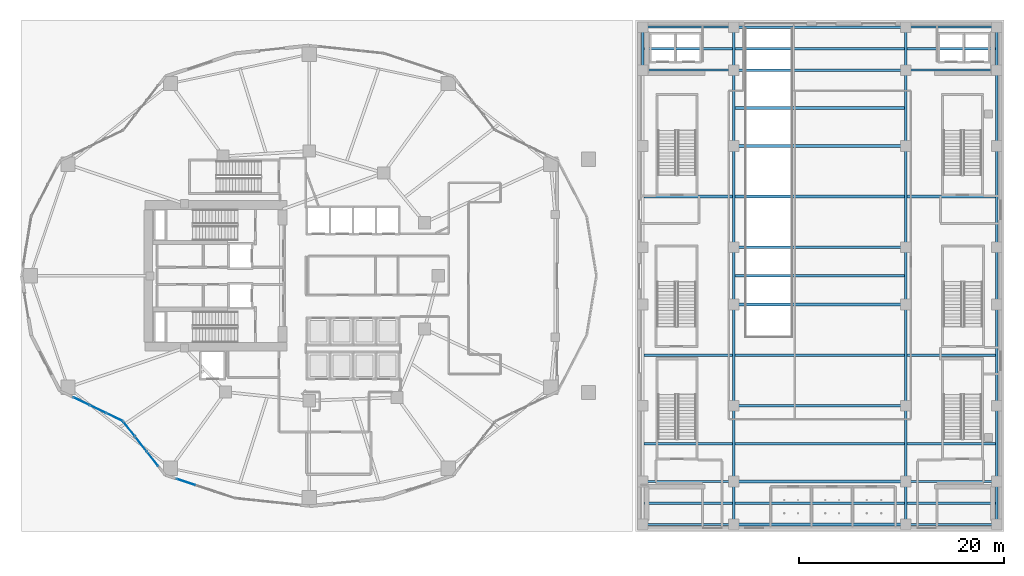
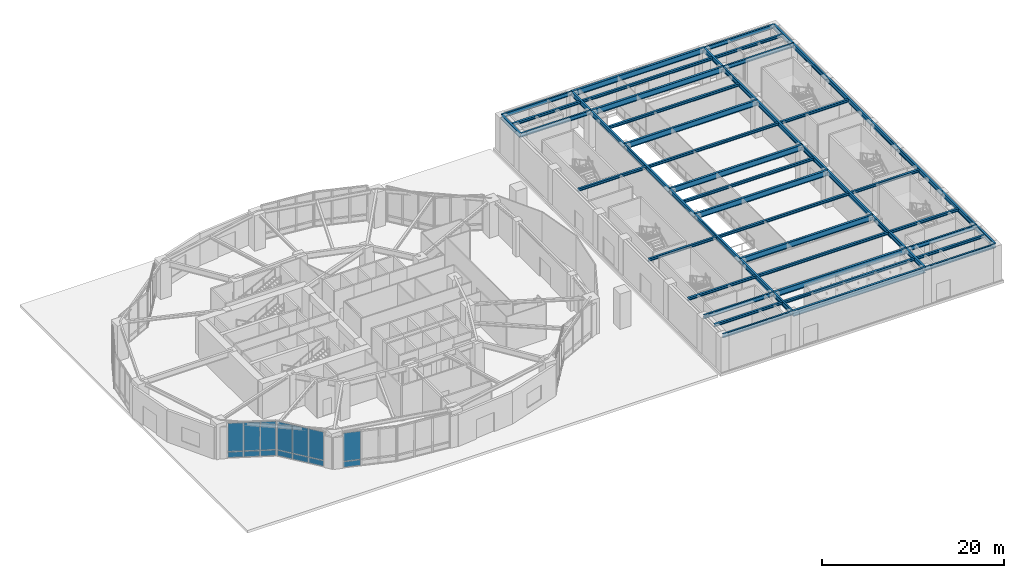
# One storey, part 8 of 23: 55 beams, 14 plates, 3 elements without a shape of their own.
"""IFC4 building model written with IfcOpenShell, lengths in metres."""

from ifc_helpers import new_model, si_unit, direction, frame, origin, origin_2d, place, context, subcontext, project, spatial, rectangle, i_section, extrude, material, layer, layer_set, material_profile, profile_set, type_object, element, aggregate, save


model = new_model("IFC4")

# Units and contexts
model_context = context("Model", 3, precision=1e-05, world=origin(), true_north=direction((0.0, 1.0)))
body_context = subcontext(model_context, "Body", "Model", "MODEL_VIEW")
ifc_project = project(units=[si_unit("LENGTHUNIT", "METRE"), si_unit("AREAUNIT", "SQUARE_METRE"), si_unit("VOLUMEUNIT", "CUBIC_METRE"), si_unit("PLANEANGLEUNIT", "RADIAN"), si_unit("MASSUNIT", "GRAM", prefix="KILO")], contexts=[model_context])

# Site, building, storey
site_placement = place(None, origin())
site = spatial("IfcSite", under=ifc_project, at=site_placement, CompositionType="ELEMENT")
building_placement = place(site_placement, origin())
building = spatial("IfcBuilding", under=site, at=building_placement, Name="Kolvaren Gate Tower and Convention Centre", CompositionType="ELEMENT")
storey_placement = place(building_placement, origin())
storey = spatial("IfcBuildingStorey", under=building, at=storey_placement, Name="L00", CompositionType="ELEMENT", Elevation=0.0)

# Beams
ifc_material_1 = material(Name="Structural steel ASTM A992 Grade 345 MPa", Category="steel")
ifc_material_profile_1 = material_profile(ifc_material_1, i_section(OverallWidth=0.2119140625, OverallDepth=0.5439453125, WebThickness=0.01318359375, FlangeThickness=0.021240234375, at=origin_2d()), Name="W530X123")
ifc_profile_set_1 = profile_set([ifc_material_profile_1], Name="Structural steel ASTM A992 Grade 345 MPa")
beam_type_1 = type_object("IfcBeamType", Name="STR-BM-W530X123", PredefinedType="BEAM", material=ifc_profile_set_1)
for number, where, z_axis, x_axis, name in (
    (1, (62.699951171875, 2.699951171875, 4.468017578125), (1.0, 0.0, 0.0), (0.0, 1.0, 0.0), "Convention L00 Transverse Girder CTG-11"),
    (2, (88.39990234375, 2.699951171875, 4.468017578125), (1.0, 0.0, 0.0), (0.0, 1.0, 0.0), "Convention L00 Transverse Girder CTG-31"),
    (3, (62.699951171875, 6.89990234375, 4.468017578125), (1.0, 0.0, 0.0), (0.0, 1.0, 0.0), "Convention L00 Transverse Girder CTG-12"),
    (4, (88.39990234375, 6.89990234375, 4.468017578125), (1.0, 0.0, 0.0), (0.0, 1.0, 0.0), "Convention L00 Transverse Girder CTG-32"),
    (5, (62.699951171875, 47.10009765625, 4.468017578125), (1.0, 0.0, 0.0), (0.0, 1.0, 0.0), "Convention L00 Transverse Girder CTG-17"),
    (6, (88.39990234375, 47.10009765625, 4.468017578125), (1.0, 0.0, 0.0), (0.0, 1.0, 0.0), "Convention L00 Transverse Girder CTG-37"),
    (7, (62.699951171875, 51.300048828125, 4.468017578125), (1.0, 0.0, 0.0), (0.0, 1.0, 0.0), "Convention L00 Transverse Girder CTG-18"),
    (8, (88.39990234375, 51.300048828125, 4.468017578125), (1.0, 0.0, 0.0), (0.0, 1.0, 0.0), "Convention L00 Transverse Girder CTG-38"),
):
    element("IfcBeam", number, at=place(storey_placement, frame(where, z_axis=z_axis, x_axis=x_axis)), inside=storey, type_object=beam_type_1, Name=name, PredefinedType="BEAM", context=body_context, shape_type="SweptSolid", body=[
        extrude(i_section(OverallWidth=0.2119140625, OverallDepth=0.5439453125, WebThickness=0.01318359375, FlangeThickness=0.021240234375, at=origin_2d()), origin(), (0.0, 0.0, 1.0), 8.900146484375),
    ])
ifc_material_profile_2 = material_profile(ifc_material_1, i_section(OverallWidth=0.22998046875, OverallDepth=0.616943359375, WebThickness=0.01318359375, FlangeThickness=0.022216796875, at=origin_2d()), Name="W610X140")
ifc_profile_set_2 = profile_set([ifc_material_profile_2], Name="Structural steel ASTM A992 Grade 345 MPa")
beam_type_2 = type_object("IfcBeamType", Name="STR-BM-W610X140", PredefinedType="BEAM", material=ifc_profile_set_2)
for number, where, z_axis, x_axis, name in (
    (9, (62.699951171875, 47.10009765625, 4.431396484375), (0.0, 1.0, 0.0), (-1.0, 0.0, 0.0), "Convention L00 Longitudinal Girder CG-17"),
    (10, (71.60009765625, 2.699951171875, 4.431396484375), (0.0, 1.0, 0.0), (-1.0, 0.0, 0.0), "Convention L00 Longitudinal Girder CG-21"),
):
    element("IfcBeam", number, at=place(storey_placement, frame(where, z_axis=z_axis, x_axis=x_axis)), inside=storey, type_object=beam_type_2, Name=name, PredefinedType="BEAM", context=body_context, shape_type="SweptSolid", body=[
        extrude(i_section(OverallWidth=0.22998046875, OverallDepth=0.616943359375, WebThickness=0.01318359375, FlangeThickness=0.022216796875, at=origin_2d()), origin(), (0.0, 0.0, 1.0), 4.199951171875),
    ])
beam_1_placement = place(storey_placement, frame((71.60009765625, 6.89990234375, 4.431396484375), z_axis=(0.0, 1.0, 0.0), x_axis=(-1.0, 0.0, 0.0)))
element("IfcBeam", 11, at=beam_1_placement, inside=storey, type_object=beam_type_2, Name="Convention L00 Longitudinal Girder CG-22", PredefinedType="BEAM", context=body_context, shape_type="SweptSolid", body=[
    extrude(i_section(OverallWidth=0.22998046875, OverallDepth=0.616943359375, WebThickness=0.01318359375, FlangeThickness=0.022216796875, at=origin_2d()), origin(), (0.0, 0.0, 1.0), 7.400146484375),
])
beam_2_placement = place(storey_placement, frame((71.60009765625, 14.300048828125, 4.431396484375), z_axis=(0.0, 1.0, 0.0), x_axis=(-1.0, 0.0, 0.0)))
element("IfcBeam", 12, at=beam_2_placement, inside=storey, type_object=beam_type_2, Name="Convention L00 Longitudinal Girder CG-23", PredefinedType="BEAM", context=body_context, shape_type="SweptSolid", body=[
    extrude(i_section(OverallWidth=0.22998046875, OverallDepth=0.616943359375, WebThickness=0.01318359375, FlangeThickness=0.022216796875, at=origin_2d()), origin(), (0.0, 0.0, 1.0), 9.89990234375),
])
beam_3_placement = place(storey_placement, frame((71.60009765625, 24.199951171875, 4.431396484375), z_axis=(0.0, 1.0, 0.0), x_axis=(-1.0, 0.0, 0.0)))
element("IfcBeam", 13, at=beam_3_placement, inside=storey, type_object=beam_type_2, Name="Convention L00 Longitudinal Girder CG-24", PredefinedType="BEAM", context=body_context, shape_type="SweptSolid", body=[
    extrude(i_section(OverallWidth=0.22998046875, OverallDepth=0.616943359375, WebThickness=0.01318359375, FlangeThickness=0.022216796875, at=origin_2d()), origin(), (0.0, 0.0, 1.0), 5.60009765625),
])
beam_4_placement = place(storey_placement, frame((71.60009765625, 29.800048828125, 4.431396484375), z_axis=(0.0, 1.0, 0.0), x_axis=(-1.0, 0.0, 0.0)))
element("IfcBeam", 14, at=beam_4_placement, inside=storey, type_object=beam_type_2, Name="Convention L00 Longitudinal Girder CG-25", PredefinedType="BEAM", context=body_context, shape_type="SweptSolid", body=[
    extrude(i_section(OverallWidth=0.22998046875, OverallDepth=0.616943359375, WebThickness=0.01318359375, FlangeThickness=0.022216796875, at=origin_2d()), origin(), (0.0, 0.0, 1.0), 9.89990234375),
])
beam_5_placement = place(storey_placement, frame((71.60009765625, 39.699951171875, 4.431396484375), z_axis=(0.0, 1.0, 0.0), x_axis=(-1.0, 0.0, 0.0)))
element("IfcBeam", 15, at=beam_5_placement, inside=storey, type_object=beam_type_2, Name="Convention L00 Longitudinal Girder CG-26", PredefinedType="BEAM", context=body_context, shape_type="SweptSolid", body=[
    extrude(i_section(OverallWidth=0.22998046875, OverallDepth=0.616943359375, WebThickness=0.01318359375, FlangeThickness=0.022216796875, at=origin_2d()), origin(), (0.0, 0.0, 1.0), 7.400146484375),
])
for number, where, z_axis, x_axis, name in (
    (16, (71.60009765625, 47.10009765625, 4.431396484375), (0.0, 1.0, 0.0), (-1.0, 0.0, 0.0), "Convention L00 Longitudinal Girder CG-27"),
    (17, (88.39990234375, 2.699951171875, 4.431396484375), (0.0, 1.0, 0.0), (-1.0, 0.0, 0.0), "Convention L00 Longitudinal Girder CG-31"),
):
    element("IfcBeam", number, at=place(storey_placement, frame(where, z_axis=z_axis, x_axis=x_axis)), inside=storey, type_object=beam_type_2, Name=name, PredefinedType="BEAM", context=body_context, shape_type="SweptSolid", body=[
        extrude(i_section(OverallWidth=0.22998046875, OverallDepth=0.616943359375, WebThickness=0.01318359375, FlangeThickness=0.022216796875, at=origin_2d()), origin(), (0.0, 0.0, 1.0), 4.199951171875),
    ])
beam_6_placement = place(storey_placement, frame((88.39990234375, 6.89990234375, 4.431396484375), z_axis=(0.0, 1.0, 0.0), x_axis=(-1.0, 0.0, 0.0)))
element("IfcBeam", 18, at=beam_6_placement, inside=storey, type_object=beam_type_2, Name="Convention L00 Longitudinal Girder CG-32", PredefinedType="BEAM", context=body_context, shape_type="SweptSolid", body=[
    extrude(i_section(OverallWidth=0.22998046875, OverallDepth=0.616943359375, WebThickness=0.01318359375, FlangeThickness=0.022216796875, at=origin_2d()), origin(), (0.0, 0.0, 1.0), 7.400146484375),
])
beam_7_placement = place(storey_placement, frame((88.39990234375, 14.300048828125, 4.431396484375), z_axis=(0.0, 1.0, 0.0), x_axis=(-1.0, 0.0, 0.0)))
element("IfcBeam", 19, at=beam_7_placement, inside=storey, type_object=beam_type_2, Name="Convention L00 Longitudinal Girder CG-33", PredefinedType="BEAM", context=body_context, shape_type="SweptSolid", body=[
    extrude(i_section(OverallWidth=0.22998046875, OverallDepth=0.616943359375, WebThickness=0.01318359375, FlangeThickness=0.022216796875, at=origin_2d()), origin(), (0.0, 0.0, 1.0), 9.89990234375),
])
beam_8_placement = place(storey_placement, frame((88.39990234375, 24.199951171875, 4.431396484375), z_axis=(0.0, 1.0, 0.0), x_axis=(-1.0, 0.0, 0.0)))
element("IfcBeam", 20, at=beam_8_placement, inside=storey, type_object=beam_type_2, Name="Convention L00 Longitudinal Girder CG-34", PredefinedType="BEAM", context=body_context, shape_type="SweptSolid", body=[
    extrude(i_section(OverallWidth=0.22998046875, OverallDepth=0.616943359375, WebThickness=0.01318359375, FlangeThickness=0.022216796875, at=origin_2d()), origin(), (0.0, 0.0, 1.0), 5.60009765625),
])
beam_9_placement = place(storey_placement, frame((88.39990234375, 29.800048828125, 4.431396484375), z_axis=(0.0, 1.0, 0.0), x_axis=(-1.0, 0.0, 0.0)))
element("IfcBeam", 21, at=beam_9_placement, inside=storey, type_object=beam_type_2, Name="Convention L00 Longitudinal Girder CG-35", PredefinedType="BEAM", context=body_context, shape_type="SweptSolid", body=[
    extrude(i_section(OverallWidth=0.22998046875, OverallDepth=0.616943359375, WebThickness=0.01318359375, FlangeThickness=0.022216796875, at=origin_2d()), origin(), (0.0, 0.0, 1.0), 9.89990234375),
])
beam_10_placement = place(storey_placement, frame((88.39990234375, 39.699951171875, 4.431396484375), z_axis=(0.0, 1.0, 0.0), x_axis=(-1.0, 0.0, 0.0)))
element("IfcBeam", 22, at=beam_10_placement, inside=storey, type_object=beam_type_2, Name="Convention L00 Longitudinal Girder CG-36", PredefinedType="BEAM", context=body_context, shape_type="SweptSolid", body=[
    extrude(i_section(OverallWidth=0.22998046875, OverallDepth=0.616943359375, WebThickness=0.01318359375, FlangeThickness=0.022216796875, at=origin_2d()), origin(), (0.0, 0.0, 1.0), 7.400146484375),
])
for number, where, z_axis, x_axis, name in (
    (23, (88.39990234375, 47.10009765625, 4.431396484375), (0.0, 1.0, 0.0), (-1.0, 0.0, 0.0), "Convention L00 Longitudinal Girder CG-37"),
    (24, (97.300048828125, 2.699951171875, 4.431396484375), (0.0, 1.0, 0.0), (-1.0, 0.0, 0.0), "Convention L00 Longitudinal Girder CG-41"),
):
    element("IfcBeam", number, at=place(storey_placement, frame(where, z_axis=z_axis, x_axis=x_axis)), inside=storey, type_object=beam_type_2, Name=name, PredefinedType="BEAM", context=body_context, shape_type="SweptSolid", body=[
        extrude(i_section(OverallWidth=0.22998046875, OverallDepth=0.616943359375, WebThickness=0.01318359375, FlangeThickness=0.022216796875, at=origin_2d()), origin(), (0.0, 0.0, 1.0), 4.199951171875),
    ])
beam_11_placement = place(storey_placement, frame((97.300048828125, 6.89990234375, 4.431396484375), z_axis=(0.0, 1.0, 0.0), x_axis=(-1.0, 0.0, 0.0)))
element("IfcBeam", 25, at=beam_11_placement, inside=storey, type_object=beam_type_2, Name="Convention L00 Longitudinal Girder CG-42", PredefinedType="BEAM", context=body_context, shape_type="SweptSolid", body=[
    extrude(i_section(OverallWidth=0.22998046875, OverallDepth=0.616943359375, WebThickness=0.01318359375, FlangeThickness=0.022216796875, at=origin_2d()), origin(), (0.0, 0.0, 1.0), 7.400146484375),
])
beam_12_placement = place(storey_placement, frame((97.300048828125, 14.300048828125, 4.431396484375), z_axis=(0.0, 1.0, 0.0), x_axis=(-1.0, 0.0, 0.0)))
element("IfcBeam", 26, at=beam_12_placement, inside=storey, type_object=beam_type_2, Name="Convention L00 Longitudinal Girder CG-43", PredefinedType="BEAM", context=body_context, shape_type="SweptSolid", body=[
    extrude(i_section(OverallWidth=0.22998046875, OverallDepth=0.616943359375, WebThickness=0.01318359375, FlangeThickness=0.022216796875, at=origin_2d()), origin(), (0.0, 0.0, 1.0), 9.89990234375),
])
beam_13_placement = place(storey_placement, frame((97.300048828125, 24.199951171875, 4.431396484375), z_axis=(0.0, 1.0, 0.0), x_axis=(-1.0, 0.0, 0.0)))
element("IfcBeam", 27, at=beam_13_placement, inside=storey, type_object=beam_type_2, Name="Convention L00 Longitudinal Girder CG-44", PredefinedType="BEAM", context=body_context, shape_type="SweptSolid", body=[
    extrude(i_section(OverallWidth=0.22998046875, OverallDepth=0.616943359375, WebThickness=0.01318359375, FlangeThickness=0.022216796875, at=origin_2d()), origin(), (0.0, 0.0, 1.0), 5.60009765625),
])
beam_14_placement = place(storey_placement, frame((97.300048828125, 29.800048828125, 4.431396484375), z_axis=(0.0, 1.0, 0.0), x_axis=(-1.0, 0.0, 0.0)))
element("IfcBeam", 28, at=beam_14_placement, inside=storey, type_object=beam_type_2, Name="Convention L00 Longitudinal Girder CG-45", PredefinedType="BEAM", context=body_context, shape_type="SweptSolid", body=[
    extrude(i_section(OverallWidth=0.22998046875, OverallDepth=0.616943359375, WebThickness=0.01318359375, FlangeThickness=0.022216796875, at=origin_2d()), origin(), (0.0, 0.0, 1.0), 9.89990234375),
])
beam_15_placement = place(storey_placement, frame((97.300048828125, 39.699951171875, 4.431396484375), z_axis=(0.0, 1.0, 0.0), x_axis=(-1.0, 0.0, 0.0)))
element("IfcBeam", 29, at=beam_15_placement, inside=storey, type_object=beam_type_2, Name="Convention L00 Longitudinal Girder CG-46", PredefinedType="BEAM", context=body_context, shape_type="SweptSolid", body=[
    extrude(i_section(OverallWidth=0.22998046875, OverallDepth=0.616943359375, WebThickness=0.01318359375, FlangeThickness=0.022216796875, at=origin_2d()), origin(), (0.0, 0.0, 1.0), 7.400146484375),
])
beam_16_placement = place(storey_placement, frame((97.300048828125, 47.10009765625, 4.431396484375), z_axis=(0.0, 1.0, 0.0), x_axis=(-1.0, 0.0, 0.0)))
element("IfcBeam", 30, at=beam_16_placement, inside=storey, type_object=beam_type_2, Name="Convention L00 Longitudinal Girder CG-47", PredefinedType="BEAM", context=body_context, shape_type="SweptSolid", body=[
    extrude(i_section(OverallWidth=0.22998046875, OverallDepth=0.616943359375, WebThickness=0.01318359375, FlangeThickness=0.022216796875, at=origin_2d()), origin(), (0.0, 0.0, 1.0), 4.199951171875),
])
ifc_material_profile_3 = material_profile(ifc_material_1, i_section(OverallWidth=0.26806640625, OverallDepth=0.758056640625, WebThickness=0.016357421875, FlangeThickness=0.025390625, at=origin_2d()), Name="W760X220")
ifc_profile_set_3 = profile_set([ifc_material_profile_3], Name="Structural steel ASTM A992 Grade 345 MPa")
beam_type_3 = type_object("IfcBeamType", Name="STR-BM-W760X220", PredefinedType="BEAM", material=ifc_profile_set_3)
for number, where, z_axis, x_axis, name in (
    (31, (71.60009765625, 2.699951171875, 4.361083984375), (1.0, 0.0, 0.0), (0.0, 1.0, 0.0), "Convention L00 Transverse Girder CTG-21"),
    (32, (71.60009765625, 6.89990234375, 4.361083984375), (1.0, 0.0, 0.0), (0.0, 1.0, 0.0), "Convention L00 Transverse Girder CTG-22"),
    (33, (71.60009765625, 14.300048828125, 4.361083984375), (1.0, 0.0, 0.0), (0.0, 1.0, 0.0), "Convention L00 Transverse Girder CTG-23"),
    (34, (71.60009765625, 24.199951171875, 4.361083984375), (1.0, 0.0, 0.0), (0.0, 1.0, 0.0), "Convention L00 Transverse Girder CTG-24"),
    (35, (71.60009765625, 29.800048828125, 4.361083984375), (1.0, 0.0, 0.0), (0.0, 1.0, 0.0), "Convention L00 Transverse Girder CTG-25"),
    (36, (71.60009765625, 39.699951171875, 4.361083984375), (1.0, 0.0, 0.0), (0.0, 1.0, 0.0), "Convention L00 Transverse Girder CTG-26"),
    (37, (71.60009765625, 47.10009765625, 4.361083984375), (1.0, 0.0, 0.0), (0.0, 1.0, 0.0), "Convention L00 Transverse Girder CTG-27"),
    (38, (71.60009765625, 51.300048828125, 4.361083984375), (1.0, 0.0, 0.0), (0.0, 1.0, 0.0), "Convention L00 Transverse Girder CTG-28"),
):
    element("IfcBeam", number, at=place(storey_placement, frame(where, z_axis=z_axis, x_axis=x_axis)), inside=storey, type_object=beam_type_3, Name=name, PredefinedType="BEAM", context=body_context, shape_type="SweptSolid", body=[
        extrude(i_section(OverallWidth=0.26806640625, OverallDepth=0.758056640625, WebThickness=0.016357421875, FlangeThickness=0.025390625, at=origin_2d()), origin(), (0.0, 0.0, 1.0), 16.7998046875),
    ])
ifc_material_profile_4 = material_profile(ifc_material_1, i_section(OverallWidth=0.2548828125, OverallDepth=0.35693359375, WebThickness=0.010498046875, FlangeThickness=0.018310546875, at=origin_2d()), Name="W360X101")
ifc_profile_set_4 = profile_set([ifc_material_profile_4], Name="Structural steel ASTM A992 Grade 345 MPa")
beam_type_4 = type_object("IfcBeamType", Name="STR-JS-W360X101", PredefinedType="JOIST", material=ifc_profile_set_4)
beam_17_placement = place(storey_placement, frame((62.81494140625, 4.800048828125, 4.5615234375), z_axis=(1.0, 0.0, 0.0), x_axis=(0.0, 1.0, 0.0)))
element("IfcBeam", 39, at=beam_17_placement, inside=storey, type_object=beam_type_4, Name="Convention L00 Composite Floor Joist CJ-11", PredefinedType="JOIST", context=body_context, shape_type="SweptSolid", body=[
    extrude(i_section(OverallWidth=0.2548828125, OverallDepth=0.35693359375, WebThickness=0.010498046875, FlangeThickness=0.018310546875, at=origin_2d()), origin(), (0.0, 0.0, 1.0), 8.670166015625),
])
beam_18_placement = place(storey_placement, frame((71.715087890625, 4.800048828125, 4.5615234375), z_axis=(1.0, 0.0, 0.0), x_axis=(0.0, 1.0, 0.0)))
element("IfcBeam", 40, at=beam_18_placement, inside=storey, type_object=beam_type_4, Name="Convention L00 Composite Floor Joist CJ-21", PredefinedType="JOIST", context=body_context, shape_type="SweptSolid", body=[
    extrude(i_section(OverallWidth=0.2548828125, OverallDepth=0.35693359375, WebThickness=0.010498046875, FlangeThickness=0.018310546875, at=origin_2d()), origin(), (0.0, 0.0, 1.0), 16.56982421875),
])
for number, where, z_axis, x_axis, name in (
    (41, (88.514892578125, 4.800048828125, 4.5615234375), (1.0, 0.0, 0.0), (0.0, 1.0, 0.0), "Convention L00 Composite Floor Joist CJ-31"),
    (42, (62.81494140625, 10.60009765625, 4.5615234375), (1.0, 0.0, 0.0), (0.0, 1.0, 0.0), "Convention L00 Composite Floor Joist CJ-12"),
):
    element("IfcBeam", number, at=place(storey_placement, frame(where, z_axis=z_axis, x_axis=x_axis)), inside=storey, type_object=beam_type_4, Name=name, PredefinedType="JOIST", context=body_context, shape_type="SweptSolid", body=[
        extrude(i_section(OverallWidth=0.2548828125, OverallDepth=0.35693359375, WebThickness=0.010498046875, FlangeThickness=0.018310546875, at=origin_2d()), origin(), (0.0, 0.0, 1.0), 8.670166015625),
    ])
beam_19_placement = place(storey_placement, frame((71.715087890625, 10.60009765625, 4.5615234375), z_axis=(1.0, 0.0, 0.0), x_axis=(0.0, 1.0, 0.0)))
element("IfcBeam", 43, at=beam_19_placement, inside=storey, type_object=beam_type_4, Name="Convention L00 Composite Floor Joist CJ-22", PredefinedType="JOIST", context=body_context, shape_type="SweptSolid", body=[
    extrude(i_section(OverallWidth=0.2548828125, OverallDepth=0.35693359375, WebThickness=0.010498046875, FlangeThickness=0.018310546875, at=origin_2d()), origin(), (0.0, 0.0, 1.0), 16.56982421875),
])
for number, where, z_axis, x_axis, name in (
    (44, (88.514892578125, 10.60009765625, 4.5615234375), (1.0, 0.0, 0.0), (0.0, 1.0, 0.0), "Convention L00 Composite Floor Joist CJ-32"),
    (45, (62.81494140625, 19.25, 4.5615234375), (1.0, 0.0, 0.0), (0.0, 1.0, 0.0), "Convention L00 Composite Floor Joist CJ-13"),
):
    element("IfcBeam", number, at=place(storey_placement, frame(where, z_axis=z_axis, x_axis=x_axis)), inside=storey, type_object=beam_type_4, Name=name, PredefinedType="JOIST", context=body_context, shape_type="SweptSolid", body=[
        extrude(i_section(OverallWidth=0.2548828125, OverallDepth=0.35693359375, WebThickness=0.010498046875, FlangeThickness=0.018310546875, at=origin_2d()), origin(), (0.0, 0.0, 1.0), 8.670166015625),
    ])
beam_20_placement = place(storey_placement, frame((71.715087890625, 19.25, 4.5615234375), z_axis=(1.0, 0.0, 0.0), x_axis=(0.0, 1.0, 0.0)))
element("IfcBeam", 46, at=beam_20_placement, inside=storey, type_object=beam_type_4, Name="Convention L00 Composite Floor Joist CJ-23", PredefinedType="JOIST", context=body_context, shape_type="SweptSolid", body=[
    extrude(i_section(OverallWidth=0.2548828125, OverallDepth=0.35693359375, WebThickness=0.010498046875, FlangeThickness=0.018310546875, at=origin_2d()), origin(), (0.0, 0.0, 1.0), 16.56982421875),
])
beam_21_placement = place(storey_placement, frame((88.514892578125, 19.25, 4.5615234375), z_axis=(1.0, 0.0, 0.0), x_axis=(0.0, 1.0, 0.0)))
element("IfcBeam", 47, at=beam_21_placement, inside=storey, type_object=beam_type_4, Name="Convention L00 Composite Floor Joist CJ-33", PredefinedType="JOIST", context=body_context, shape_type="SweptSolid", body=[
    extrude(i_section(OverallWidth=0.2548828125, OverallDepth=0.35693359375, WebThickness=0.010498046875, FlangeThickness=0.018310546875, at=origin_2d()), origin(), (0.0, 0.0, 1.0), 8.670166015625),
])
beam_22_placement = place(storey_placement, frame((71.715087890625, 27.0, 4.5615234375), z_axis=(1.0, 0.0, 0.0), x_axis=(0.0, 1.0, 0.0)))
element("IfcBeam", 48, at=beam_22_placement, inside=storey, type_object=beam_type_4, Name="Convention L00 Composite Floor Joist CJ-24", PredefinedType="JOIST", context=body_context, shape_type="SweptSolid", body=[
    extrude(i_section(OverallWidth=0.2548828125, OverallDepth=0.35693359375, WebThickness=0.010498046875, FlangeThickness=0.018310546875, at=origin_2d()), origin(), (0.0, 0.0, 1.0), 16.56982421875),
])
beam_23_placement = place(storey_placement, frame((62.81494140625, 34.75, 4.5615234375), z_axis=(1.0, 0.0, 0.0), x_axis=(0.0, 1.0, 0.0)))
element("IfcBeam", 49, at=beam_23_placement, inside=storey, type_object=beam_type_4, Name="Convention L00 Composite Floor Joist CJ-15", PredefinedType="JOIST", context=body_context, shape_type="SweptSolid", body=[
    extrude(i_section(OverallWidth=0.2548828125, OverallDepth=0.35693359375, WebThickness=0.010498046875, FlangeThickness=0.018310546875, at=origin_2d()), origin(), (0.0, 0.0, 1.0), 8.670166015625),
])
beam_24_placement = place(storey_placement, frame((71.715087890625, 34.75, 4.5615234375), z_axis=(1.0, 0.0, 0.0), x_axis=(0.0, 1.0, 0.0)))
element("IfcBeam", 50, at=beam_24_placement, inside=storey, type_object=beam_type_4, Name="Convention L00 Composite Floor Joist CJ-25", PredefinedType="JOIST", context=body_context, shape_type="SweptSolid", body=[
    extrude(i_section(OverallWidth=0.2548828125, OverallDepth=0.35693359375, WebThickness=0.010498046875, FlangeThickness=0.018310546875, at=origin_2d()), origin(), (0.0, 0.0, 1.0), 16.56982421875),
])
beam_25_placement = place(storey_placement, frame((88.514892578125, 34.75, 4.5615234375), z_axis=(1.0, 0.0, 0.0), x_axis=(0.0, 1.0, 0.0)))
element("IfcBeam", 51, at=beam_25_placement, inside=storey, type_object=beam_type_4, Name="Convention L00 Composite Floor Joist CJ-35", PredefinedType="JOIST", context=body_context, shape_type="SweptSolid", body=[
    extrude(i_section(OverallWidth=0.2548828125, OverallDepth=0.35693359375, WebThickness=0.010498046875, FlangeThickness=0.018310546875, at=origin_2d()), origin(), (0.0, 0.0, 1.0), 8.670166015625),
])
beam_26_placement = place(storey_placement, frame((71.715087890625, 43.39990234375, 4.5615234375), z_axis=(1.0, 0.0, 0.0), x_axis=(0.0, 1.0, 0.0)))
element("IfcBeam", 52, at=beam_26_placement, inside=storey, type_object=beam_type_4, Name="Convention L00 Composite Floor Joist CJ-26", PredefinedType="JOIST", context=body_context, shape_type="SweptSolid", body=[
    extrude(i_section(OverallWidth=0.2548828125, OverallDepth=0.35693359375, WebThickness=0.010498046875, FlangeThickness=0.018310546875, at=origin_2d()), origin(), (0.0, 0.0, 1.0), 16.56982421875),
])
beam_27_placement = place(storey_placement, frame((62.81494140625, 49.199951171875, 4.5615234375), z_axis=(1.0, 0.0, 0.0), x_axis=(0.0, 1.0, 0.0)))
element("IfcBeam", 53, at=beam_27_placement, inside=storey, type_object=beam_type_4, Name="Convention L00 Composite Floor Joist CJ-17", PredefinedType="JOIST", context=body_context, shape_type="SweptSolid", body=[
    extrude(i_section(OverallWidth=0.2548828125, OverallDepth=0.35693359375, WebThickness=0.010498046875, FlangeThickness=0.018310546875, at=origin_2d()), origin(), (0.0, 0.0, 1.0), 8.670166015625),
])
beam_28_placement = place(storey_placement, frame((71.715087890625, 49.199951171875, 4.5615234375), z_axis=(1.0, 0.0, 0.0), x_axis=(0.0, 1.0, 0.0)))
element("IfcBeam", 54, at=beam_28_placement, inside=storey, type_object=beam_type_4, Name="Convention L00 Composite Floor Joist CJ-27", PredefinedType="JOIST", context=body_context, shape_type="SweptSolid", body=[
    extrude(i_section(OverallWidth=0.2548828125, OverallDepth=0.35693359375, WebThickness=0.010498046875, FlangeThickness=0.018310546875, at=origin_2d()), origin(), (0.0, 0.0, 1.0), 16.56982421875),
])
beam_29_placement = place(storey_placement, frame((88.514892578125, 49.199951171875, 4.5615234375), z_axis=(1.0, 0.0, 0.0), x_axis=(0.0, 1.0, 0.0)))
element("IfcBeam", 55, at=beam_29_placement, inside=storey, type_object=beam_type_4, Name="Convention L00 Composite Floor Joist CJ-37", PredefinedType="JOIST", context=body_context, shape_type="SweptSolid", body=[
    extrude(i_section(OverallWidth=0.2548828125, OverallDepth=0.35693359375, WebThickness=0.010498046875, FlangeThickness=0.018310546875, at=origin_2d()), origin(), (0.0, 0.0, 1.0), 8.670166015625),
])

# Curtain wall, plates
ifc_material_2 = material(Name="Anodized Architectural Aluminium Alloy 6063-T6", Category="aluminium")
ifc_layer_1 = layer(ifc_material_2, 0.179931640625)
ifc_layer_set_1 = layer_set([ifc_layer_1], Name="Anodized Architectural Aluminium Alloy 6063-T6")
curtain_wall_type = type_object("IfcCurtainWallType", Name="CW-POD-GLZ", PredefinedType="NOTDEFINED", material=ifc_layer_set_1)
curtain_wall_1_placement = place(storey_placement, origin())
curtain_wall_1 = element("IfcCurtainWall", 56, at=curtain_wall_1_placement, inside=storey, type_object=curtain_wall_type, Name="Tower L00 Unitised Curtain Wall CW-POD-GLZ Bay 14", PredefinedType="NOTDEFINED")
ifc_material_3 = material(Name="Low-E Triple Insulated Glazing Unit 44 mm", Category="glass")
ifc_layer_2 = layer(ifc_material_3, 0.0439453125)
ifc_layer_set_2 = layer_set([ifc_layer_2], Name="Low-E Triple Insulated Glazing Unit 44 mm")
plate_type_1 = type_object("IfcPlateType", Name="CW-PL-IGU-44", PredefinedType="CURTAIN_PANEL", material=ifc_layer_set_2)
plate_1_placement = place(storey_placement, frame((7.85009765625, 14.749755859375, 0.8876953125), z_axis=(0.0, 0.0, 1.0), x_axis=(0.901366679942, -0.433056703319, 0.0)))
plate_1 = element("IfcPlate", 57, at=plate_1_placement, type_object=plate_type_1, Name="CW-01 panel 1.2", PredefinedType="CURTAIN_PANEL", context=body_context, shape_type="SweptSolid", body=[
    extrude(rectangle(XDim=1.707763671875, YDim=0.0439453125, at=origin_2d()), origin(), (0.0, 0.0, 1.0), 3.777587890625),
])
plate_2_placement = place(storey_placement, frame((9.4736328125, 13.969482421875, 0.8876953125), z_axis=(0.0, 0.0, 1.0), x_axis=(0.901366679942, -0.433056703319, 0.0)))
plate_2 = element("IfcPlate", 58, at=plate_2_placement, type_object=plate_type_1, Name="CW-01 panel 2.2", PredefinedType="CURTAIN_PANEL", context=body_context, shape_type="SweptSolid", body=[
    extrude(rectangle(XDim=1.7451171875, YDim=0.0439453125, at=origin_2d()), origin(), (0.0, 0.0, 1.0), 3.777587890625),
])
plate_3_placement = place(storey_placement, frame((11.097412109375, 13.189453125, 0.8876953125), z_axis=(0.0, 0.0, 1.0), x_axis=(0.901366679942, -0.433056703319, 0.0)))
plate_3 = element("IfcPlate", 59, at=plate_3_placement, type_object=plate_type_1, Name="CW-01 panel 3.2", PredefinedType="CURTAIN_PANEL", context=body_context, shape_type="SweptSolid", body=[
    extrude(rectangle(XDim=1.707763671875, YDim=0.0439453125, at=origin_2d()), origin(), (0.0, 0.0, 1.0), 3.777587890625),
])

curtain_wall_2_placement = place(storey_placement, origin())
curtain_wall_2 = element("IfcCurtainWall", 60, at=curtain_wall_2_placement, inside=storey, type_object=curtain_wall_type, Name="Tower L00 Unitised Curtain Wall CW-POD-GLZ Bay 15", PredefinedType="NOTDEFINED")
plate_4_placement = place(storey_placement, frame((12.523681640625, 12.034912109375, 0.8876953125), z_axis=(0.0, 0.0, 1.0), x_axis=(0.616421003276, -0.787416755422, 0.0)))
plate_4 = element("IfcPlate", 61, at=plate_4_placement, type_object=plate_type_1, Name="CW-01 panel 1.2", PredefinedType="CURTAIN_PANEL", context=body_context, shape_type="SweptSolid", body=[
    extrude(rectangle(XDim=1.7607421875, YDim=0.0439453125, at=origin_2d()), origin(), (0.0, 0.0, 1.0), 3.777587890625),
])
plate_5_placement = place(storey_placement, frame((13.666748046875, 10.574462890625, 0.8876953125), z_axis=(0.0, 0.0, 1.0), x_axis=(0.616421003276, -0.787416755422, 0.0)))
plate_5 = element("IfcPlate", 62, at=plate_5_placement, type_object=plate_type_1, Name="CW-01 panel 2.2", PredefinedType="CURTAIN_PANEL", context=body_context, shape_type="SweptSolid", body=[
    extrude(rectangle(XDim=1.79833984375, YDim=0.0439453125, at=origin_2d()), origin(), (0.0, 0.0, 1.0), 3.777587890625),
])
plate_6_placement = place(storey_placement, frame((14.81005859375, 9.1142578125, 0.8876953125), z_axis=(0.0, 0.0, 1.0), x_axis=(0.616421003276, -0.787416755422, 0.0)))
plate_6 = element("IfcPlate", 63, at=plate_6_placement, type_object=plate_type_1, Name="CW-01 panel 3.2", PredefinedType="CURTAIN_PANEL", context=body_context, shape_type="SweptSolid", body=[
    extrude(rectangle(XDim=1.7607421875, YDim=0.0439453125, at=origin_2d()), origin(), (0.0, 0.0, 1.0), 3.777587890625),
])

# Curtain wall, plate
curtain_wall_3_placement = place(storey_placement, origin())
curtain_wall_3 = element("IfcCurtainWall", 64, at=curtain_wall_3_placement, inside=storey, type_object=curtain_wall_type, Name="Tower L00 Unitised Curtain Wall CW-POD-GLZ Bay 16", PredefinedType="NOTDEFINED")
plate_7_placement = place(storey_placement, frame((18.076904296875, 6.846923828125, 0.8876953125), z_axis=(0.0, 0.0, 1.0), x_axis=(0.949242053404, -0.314546537175, 0.0)))
plate_7 = element("IfcPlate", 65, at=plate_7_placement, type_object=plate_type_1, Name="CW-01 panel 1.2", PredefinedType="CURTAIN_PANEL", context=body_context, shape_type="SweptSolid", body=[
    extrude(rectangle(XDim=1.904541015625, YDim=0.0439453125, at=origin_2d()), origin(), (0.0, 0.0, 1.0), 3.777587890625),
])

# Plate
ifc_material_4 = material(Name="Solar-Control Laminated Curtain Glazing 36 mm", Category="glass")
ifc_layer_3 = layer(ifc_material_4, 0.035888671875)
ifc_layer_set_3 = layer_set([ifc_layer_3], Name="Solar-Control Laminated Curtain Glazing 36 mm")
plate_type_2 = type_object("IfcPlateType", Name="CW-PL-SPAN-36", PredefinedType="CURTAIN_PANEL", material=ifc_layer_set_3)
plate_8_placement = place(storey_placement, frame((7.85009765625, 14.749755859375, 0.0751953125), z_axis=(0.0, 0.0, 1.0), x_axis=(0.901366679942, -0.433056703319, 0.0)))
plate_8 = element("IfcPlate", 66, at=plate_8_placement, type_object=plate_type_2, Name="CW-01 panel 1.1", PredefinedType="CURTAIN_PANEL", context=body_context, shape_type="SweptSolid", body=[
    extrude(rectangle(XDim=1.707763671875, YDim=0.035888671875, at=origin_2d()), origin(), (0.0, 0.0, 1.0), 0.737548828125),
])

plate_9_placement = place(storey_placement, frame((9.4736328125, 13.969482421875, 0.0751953125), z_axis=(0.0, 0.0, 1.0), x_axis=(0.901366679942, -0.433056703319, 0.0)))
plate_9 = element("IfcPlate", 67, at=plate_9_placement, type_object=plate_type_2, Name="CW-01 panel 2.1", PredefinedType="CURTAIN_PANEL", context=body_context, shape_type="SweptSolid", body=[
    extrude(rectangle(XDim=1.7451171875, YDim=0.035888671875, at=origin_2d()), origin(), (0.0, 0.0, 1.0), 0.737548828125),
])

plate_10_placement = place(storey_placement, frame((11.097412109375, 13.189453125, 0.0751953125), z_axis=(0.0, 0.0, 1.0), x_axis=(0.901366679942, -0.433056703319, 0.0)))
plate_10 = element("IfcPlate", 68, at=plate_10_placement, type_object=plate_type_2, Name="CW-01 panel 3.1", PredefinedType="CURTAIN_PANEL", context=body_context, shape_type="SweptSolid", body=[
    extrude(rectangle(XDim=1.707763671875, YDim=0.035888671875, at=origin_2d()), origin(), (0.0, 0.0, 1.0), 0.737548828125),
])

aggregate(curtain_wall_1, [plate_8, plate_1, plate_9, plate_2, plate_10, plate_3])

plate_11_placement = place(storey_placement, frame((12.523681640625, 12.034912109375, 0.0751953125), z_axis=(0.0, 0.0, 1.0), x_axis=(0.616421003276, -0.787416755422, 0.0)))
plate_11 = element("IfcPlate", 69, at=plate_11_placement, type_object=plate_type_2, Name="CW-01 panel 1.1", PredefinedType="CURTAIN_PANEL", context=body_context, shape_type="SweptSolid", body=[
    extrude(rectangle(XDim=1.7607421875, YDim=0.035888671875, at=origin_2d()), origin(), (0.0, 0.0, 1.0), 0.737548828125),
])

plate_12_placement = place(storey_placement, frame((13.666748046875, 10.574462890625, 0.0751953125), z_axis=(0.0, 0.0, 1.0), x_axis=(0.616421003276, -0.787416755422, 0.0)))
plate_12 = element("IfcPlate", 70, at=plate_12_placement, type_object=plate_type_2, Name="CW-01 panel 2.1", PredefinedType="CURTAIN_PANEL", context=body_context, shape_type="SweptSolid", body=[
    extrude(rectangle(XDim=1.79833984375, YDim=0.035888671875, at=origin_2d()), origin(), (0.0, 0.0, 1.0), 0.737548828125),
])

plate_13_placement = place(storey_placement, frame((14.81005859375, 9.1142578125, 0.0751953125), z_axis=(0.0, 0.0, 1.0), x_axis=(0.616421003276, -0.787416755422, 0.0)))
plate_13 = element("IfcPlate", 71, at=plate_13_placement, type_object=plate_type_2, Name="CW-01 panel 3.1", PredefinedType="CURTAIN_PANEL", context=body_context, shape_type="SweptSolid", body=[
    extrude(rectangle(XDim=1.7607421875, YDim=0.035888671875, at=origin_2d()), origin(), (0.0, 0.0, 1.0), 0.737548828125),
])

aggregate(curtain_wall_2, [plate_11, plate_4, plate_12, plate_5, plate_13, plate_6])

plate_14_placement = place(storey_placement, frame((18.076904296875, 6.846923828125, 0.0751953125), z_axis=(0.0, 0.0, 1.0), x_axis=(0.949242053404, -0.314546537175, 0.0)))
plate_14 = element("IfcPlate", 72, at=plate_14_placement, type_object=plate_type_2, Name="CW-01 panel 1.1", PredefinedType="CURTAIN_PANEL", context=body_context, shape_type="SweptSolid", body=[
    extrude(rectangle(XDim=1.904541015625, YDim=0.035888671875, at=origin_2d()), origin(), (0.0, 0.0, 1.0), 0.737548828125),
])

aggregate(curtain_wall_3, [plate_14, plate_7])

save(model, "model.ifc")
